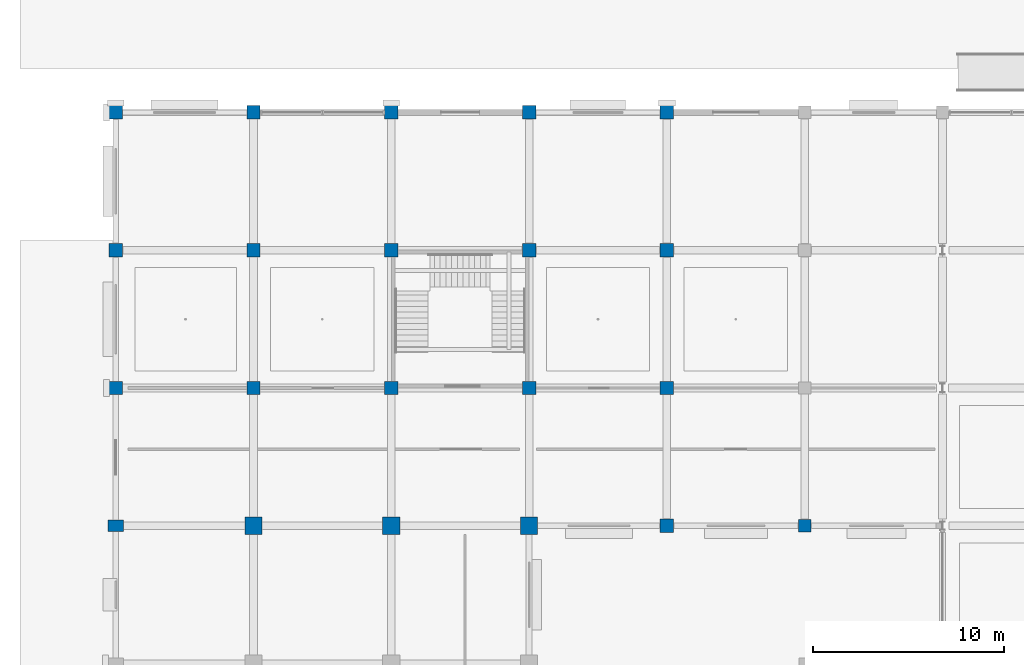
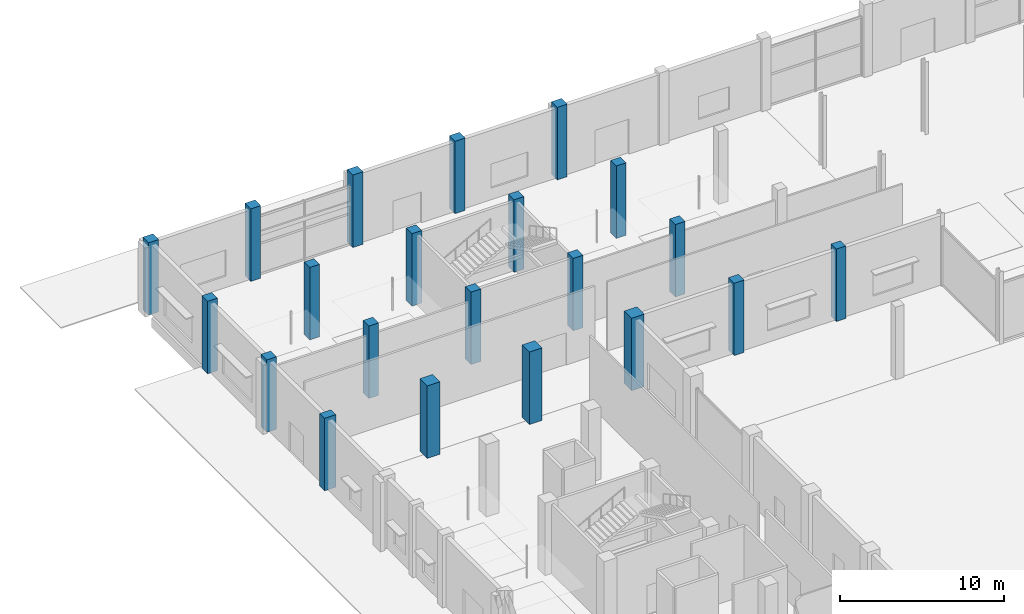
# One storey, part 5 of 90: 21 columns.
"""IFC4 building model written with IfcOpenShell, lengths in metres."""

import ifcopenshell
import ifcopenshell.guid

model = None  # the IFC model being written
_history = None  # IfcOwnerHistory: only IFC2X3 demands one
_inside = {}  # id of a spatial element -> (the spatial element, [elements in it])
_under = {}  # id of a project, library or spatial element -> (it, [spatial elements below it])
_declared = {}  # id of a project -> (the project, [libraries it declares])
_typed = {}  # id of a type object -> (the type object, [elements of that type])
_made_of = {}  # id of a material, layer set ... -> (it, [elements and type objects made of it])


def new_model(schema):
    """Start an empty IFC model of exactly this schema.

    Asked for "IFC4X3", IfcOpenShell would pick the latest addendum, in which some entities
    have other attributes; the version numbers below select the first issue.
    IFC2X3 requires an IfcOwnerHistory on every rooted entity: one is made here for all.
    """
    global model, _history
    if schema == "IFC4X3":
        model = ifcopenshell.file(schema_version=(4, 3, 0, 0))
    else:
        model = ifcopenshell.file(schema=schema)
    _inside.clear()
    _under.clear()
    _declared.clear()
    _typed.clear()
    _made_of.clear()
    _history = None
    if model.schema == "IFC2X3":
        org = make("IfcOrganization", Name="unknown")
        user = make(
            "IfcPersonAndOrganization",
            ThePerson=make("IfcPerson", FamilyName="unknown"),
            TheOrganization=org,
        )
        app = make(
            "IfcApplication",
            ApplicationDeveloper=org,
            Version="unknown",
            ApplicationFullName="unknown",
            ApplicationIdentifier="unknown",
        )
        _history = make(
            "IfcOwnerHistory",
            OwningUser=user,
            OwningApplication=app,
            ChangeAction="ADDED",
            CreationDate=0,
        )
    return model


def make(cls, **values):
    """One entity of the class cls with the attributes given. An attribute that is None is left unset."""
    return model.create_entity(
        cls, **{name: value for name, value in values.items() if value is not None}
    )


def rooted(cls, **values):
    """An entity with a GlobalId (a new one), such as an element, a storey or a relation."""
    return make(cls, GlobalId=ifcopenshell.guid.new(), OwnerHistory=_history, **values)


def si_unit(unit_type, name, prefix=None):
    """IfcSIUnit, for example si_unit("LENGTHUNIT", "METRE", prefix="MILLI")."""
    return make("IfcSIUnit", UnitType=unit_type, Prefix=prefix, Name=name)


def assignment(units):
    """IfcUnitAssignment: the units of a project."""
    return None if units is None else make("IfcUnitAssignment", Units=units)


def point(xyz):
    """IfcCartesianPoint."""
    return None if xyz is None else make("IfcCartesianPoint", Coordinates=xyz)


def direction(xyz):
    """IfcDirection."""
    return None if xyz is None else make("IfcDirection", DirectionRatios=xyz)


def frame(location, z_axis=None, x_axis=None):
    """IfcAxis2Placement3D, a coordinate frame: its origin and axes. An axis left out is left unset."""
    return make(
        "IfcAxis2Placement3D",
        Location=point(location),
        Axis=direction(z_axis),
        RefDirection=direction(x_axis),
    )


def frame_2d(location, x_axis=None):
    """IfcAxis2Placement2D, a coordinate frame in the plane: its origin and x axis."""
    return make(
        "IfcAxis2Placement2D", Location=point(location), RefDirection=direction(x_axis)
    )


def origin():
    """The frame at (0, 0, 0) with its axes left unset."""
    return frame((0.0, 0.0, 0.0))


def origin_2d():
    """The frame at (0, 0) in the plane with its x axis left unset."""
    return frame_2d((0.0, 0.0))


def place(relative_to, where):
    """IfcLocalPlacement: puts the frame where relative to a parent placement (None: the world)."""
    return make(
        "IfcLocalPlacement", PlacementRelTo=relative_to, RelativePlacement=where
    )


def context(
    kind, dimensions, precision=None, world=None, true_north=None, identifier=None
):
    """IfcGeometricRepresentationContext, for example the 3D "Model" context."""
    return make(
        "IfcGeometricRepresentationContext",
        ContextIdentifier=identifier,
        ContextType=kind,
        CoordinateSpaceDimension=dimensions,
        Precision=precision,
        WorldCoordinateSystem=world,
        TrueNorth=true_north,
    )


def subcontext(parent, identifier, kind, view, scale=None):
    """IfcGeometricRepresentationSubContext, for example "Body" below "Model"."""
    return make(
        "IfcGeometricRepresentationSubContext",
        ContextIdentifier=identifier,
        ContextType=kind,
        ParentContext=parent,
        TargetScale=scale,
        TargetView=view,
    )


def project(units=None, contexts=None):
    """IfcProject with its units and contexts."""
    return rooted(
        "IfcProject",
        Name="project",
        RepresentationContexts=contexts,
        UnitsInContext=assignment(units),
    )


def spatial(cls, under=None, at=None, **own):
    """A site, building, storey or space (cls), placed at a placement, below another one or the project."""
    s = rooted(cls, ObjectPlacement=at, **own)
    if under is not None:
        _under.setdefault(under.id(), (under, []))[1].append(s)
    return s


def profile(cls, at=None, kind="AREA", **sizes):
    """A parametric profile (cls). Its sizes go by their IFC names, for example OverallWidth=200.0."""
    return make(cls, ProfileType=kind, Position=at, **sizes)


def rectangle(**sizes):
    """IfcRectangleProfileDef."""
    return profile("IfcRectangleProfileDef", **sizes)


def extrude(swept, where, along, depth):
    """IfcExtrudedAreaSolid: the profile swept, set in the frame where, extruded along a direction by depth."""
    return make(
        "IfcExtrudedAreaSolid",
        SweptArea=swept,
        Position=where,
        ExtrudedDirection=direction(along),
        Depth=depth,
    )


def shape(context_of_items, identifier, shape_type, items):
    """IfcShapeRepresentation: the items that make up one representation, for example the "Body"."""
    return make(
        "IfcShapeRepresentation",
        ContextOfItems=context_of_items,
        RepresentationIdentifier=identifier,
        RepresentationType=shape_type,
        Items=items,
    )


def material(Name=None, Category=None):
    """IfcMaterial."""
    return make("IfcMaterial", Name=Name, Category=Category)


def material_profile(
    of_material, cross_section, Name=None, Category=None, Priority=None
):
    """IfcMaterialProfile: a cross section and its material."""
    return make(
        "IfcMaterialProfile",
        Name=Name,
        Material=of_material,
        Profile=cross_section,
        Priority=Priority,
        Category=Category,
    )


def profile_set(profiles, Name=None, composite=None):
    """IfcMaterialProfileSet."""
    return make(
        "IfcMaterialProfileSet",
        Name=Name,
        MaterialProfiles=profiles,
        CompositeProfile=composite,
    )


def made_of(thing, what):
    """Note that an element or type object is made of a material, layer set ...; save() writes the relation."""
    if what is not None:
        _made_of.setdefault(what.id(), (what, []))[1].append(thing)
    return thing


def type_object(cls, material=None, **own):
    """A type object (cls), such as IfcWallType, which elements share."""
    return made_of(rooted(cls, **own), material)


def element(
    cls,
    number,
    at=None,
    inside=None,
    cuts=None,
    type_object=None,
    material=None,
    context=None,
    identifier="Body",
    shape_type=None,
    held_by="IfcProductDefinitionShape",
    body=None,
    shapes=None,
    **own,
):
    """One element of the class cls, such as IfcWall. Its Tag is "e" and its number.

    at: its placement. inside: the storey or other place that contains it. cuts: it is an
    opening in that element (IfcRelVoidsElement). A single representation is given by context,
    identifier, shape_type and body (its items); several are given by shapes. held_by: the class
    of the entity that holds the representations. save() writes the other relations.
    """
    e = rooted(cls, Tag="e%d" % number, ObjectPlacement=at, **own)
    if body is not None:
        shapes = [shape(context, identifier, shape_type, body)]
    if shapes is not None:
        e.Representation = make(held_by, Representations=shapes)
    if inside is not None:
        _inside.setdefault(inside.id(), (inside, []))[1].append(e)
    if cuts is not None:
        rooted(
            "IfcRelVoidsElement", RelatingBuildingElement=cuts, RelatedOpeningElement=e
        )
    if type_object is not None:
        _typed.setdefault(type_object.id(), (type_object, []))[1].append(e)
    return made_of(e, material)


def aggregate(whole, parts):
    """IfcRelAggregates: a whole, such as a stair, and the parts it consists of."""
    return rooted("IfcRelAggregates", RelatingObject=whole, RelatedObjects=parts)


def save(model, path):
    """Write the relations noted so far, then the file.

    IfcRelAggregates (storeys below a building ...), IfcRelContainedInSpatialStructure (elements
    in a storey), IfcRelDefinesByType, IfcRelAssociatesMaterial and IfcRelDeclares: one each for
    every whole, place, type object, material and project.
    """
    for whole, parts in _under.values():
        aggregate(whole, parts)
    for where, things in _inside.values():
        rooted(
            "IfcRelContainedInSpatialStructure",
            RelatedElements=things,
            RelatingStructure=where,
        )
    for kind, things in _typed.values():
        rooted("IfcRelDefinesByType", RelatedObjects=things, RelatingType=kind)
    for what, things in _made_of.values():
        rooted("IfcRelAssociatesMaterial", RelatedObjects=things, RelatingMaterial=what)
    for by, libraries in _declared.values():
        rooted("IfcRelDeclares", RelatingContext=by, RelatedDefinitions=libraries)
    model.write(path)


model = new_model("IFC4")

# Units and contexts
model_context = context("Model", 3, precision=1e-05, world=origin(), true_north=direction((0.0, 1.0)))
body_context = subcontext(model_context, "Body", "Model", "MODEL_VIEW")
ifc_project = project(units=[si_unit("LENGTHUNIT", "METRE"), si_unit("AREAUNIT", "SQUARE_METRE"), si_unit("VOLUMEUNIT", "CUBIC_METRE"), si_unit("PLANEANGLEUNIT", "RADIAN"), si_unit("MASSUNIT", "GRAM", prefix="KILO")], contexts=[model_context])

# Site, building, storey
site_placement = place(None, origin())
site = spatial("IfcSite", under=ifc_project, at=site_placement, CompositionType="ELEMENT")
building_placement = place(site_placement, origin())
building = spatial("IfcBuilding", under=site, at=building_placement, Name="Kangsadwip Square Police Headquarters", CompositionType="ELEMENT")
storey_placement = place(building_placement, origin())
storey = spatial("IfcBuildingStorey", under=building, at=storey_placement, Name="L00", CompositionType="ELEMENT", Elevation=0.0)

# Columns
ifc_material_1 = material(Name="Concrete M40 (40 MPa)", Category="concrete")
ifc_material_profile_1 = material_profile(ifc_material_1, rectangle(XDim=0.64990234375, YDim=0.64990234375, at=origin_2d()), Name="RC COL 650X650")
ifc_profile_set_1 = profile_set([ifc_material_profile_1], Name="Concrete M40 (40 MPa)")
column_type_1 = type_object("IfcColumnType", Name="RcCol650x650", PredefinedType="COLUMN", material=ifc_profile_set_1)
column_1_placement = place(storey_placement, frame((36.0, 93.60009765625, 0.0), z_axis=(0.0, 0.0, 1.0), x_axis=(1.0, 0.0, 0.0)))
element("IfcColumn", 1, at=column_1_placement, inside=storey, type_object=column_type_1, Name="Column COL-L00-05-13", PredefinedType="COLUMN", context=body_context, shape_type="SweptSolid", body=[
    extrude(rectangle(XDim=0.64990234375, YDim=0.64990234375, at=origin_2d()), origin(), (0.0, 0.0, 1.0), 5.39990234375),
])
ifc_material_2 = material(Name="Concrete M40 (40 MPa)", Category="concrete")
ifc_material_profile_2 = material_profile(ifc_material_2, rectangle(XDim=0.699951171875, YDim=0.699951171875, at=origin_2d()), Name="RC COL 700X700")
ifc_profile_set_2 = profile_set([ifc_material_profile_2], Name="Concrete M40 (40 MPa)")
column_type_2 = type_object("IfcColumnType", Name="RcCol700x700", PredefinedType="COLUMN", material=ifc_profile_set_2)
for number, where, z_axis, x_axis, name in (
    (2, (0.0, 100.800048828125, 0.0), (0.0, 0.0, 1.0), (1.0, 0.0, 0.0), "Column COL-L00-00-14"),
    (3, (0.0, 108.0, 0.0), (0.0, 0.0, 1.0), (1.0, 0.0, 0.0), "Column COL-L00-00-15"),
    (4, (0.0, 115.199951171875, 0.0), (0.0, 0.0, 1.0), (1.0, 0.0, 0.0), "Column COL-L00-00-16"),
    (5, (7.199951171875, 100.800048828125, 0.0), (0.0, 0.0, 1.0), (1.0, 0.0, 0.0), "Column COL-L00-01-14"),
    (6, (7.199951171875, 108.0, 0.0), (0.0, 0.0, 1.0), (1.0, 0.0, 0.0), "Column COL-L00-01-15"),
    (7, (7.199951171875, 115.199951171875, 0.0), (0.0, 0.0, 1.0), (1.0, 0.0, 0.0), "Column COL-L00-01-16"),
    (8, (14.39990234375, 100.800048828125, 0.0), (0.0, 0.0, 1.0), (1.0, 0.0, 0.0), "Column COL-L00-02-14"),
    (9, (14.39990234375, 108.0, 0.0), (0.0, 0.0, 1.0), (1.0, 0.0, 0.0), "Column COL-L00-02-15"),
    (10, (14.39990234375, 115.199951171875, 0.0), (0.0, 0.0, 1.0), (1.0, 0.0, 0.0), "Column COL-L00-02-16"),
    (11, (21.60009765625, 100.800048828125, 0.0), (0.0, 0.0, 1.0), (1.0, 0.0, 0.0), "Column COL-L00-03-14"),
    (12, (21.60009765625, 108.0, 0.0), (0.0, 0.0, 1.0), (1.0, 0.0, 0.0), "Column COL-L00-03-15"),
    (13, (21.60009765625, 115.199951171875, 0.0), (0.0, 0.0, 1.0), (1.0, 0.0, 0.0), "Column COL-L00-03-16"),
    (14, (28.800048828125, 93.60009765625, 0.0), (0.0, 0.0, 1.0), (1.0, 0.0, 0.0), "Column COL-L00-04-13"),
    (15, (28.800048828125, 100.800048828125, 0.0), (0.0, 0.0, 1.0), (1.0, 0.0, 0.0), "Column COL-L00-04-14"),
    (16, (28.800048828125, 108.0, 0.0), (0.0, 0.0, 1.0), (1.0, 0.0, 0.0), "Column COL-L00-04-15"),
    (17, (28.800048828125, 115.199951171875, 0.0), (0.0, 0.0, 1.0), (1.0, 0.0, 0.0), "Column COL-L00-04-16"),
):
    element("IfcColumn", number, at=place(storey_placement, frame(where, z_axis=z_axis, x_axis=x_axis)), inside=storey, type_object=column_type_2, Name=name, PredefinedType="COLUMN", context=body_context, shape_type="SweptSolid", body=[
        extrude(rectangle(XDim=0.699951171875, YDim=0.699951171875, at=origin_2d()), origin(), (0.0, 0.0, 1.0), 5.39990234375),
    ])
ifc_material_3 = material(Name="Concrete M40 (40 MPa)", Category="concrete")
ifc_material_profile_3 = material_profile(ifc_material_3, rectangle(XDim=0.60009765625, YDim=0.800048828125, at=origin_2d()), Name="RC COL 800X600")
ifc_profile_set_3 = profile_set([ifc_material_profile_3], Name="Concrete M40 (40 MPa)")
column_type_3 = type_object("IfcColumnType", Name="RcCol800x600", PredefinedType="COLUMN", material=ifc_profile_set_3)
column_2_placement = place(storey_placement, frame((0.0, 93.60009765625, 0.0), z_axis=(0.0, 0.0, 1.0), x_axis=(0.0, 1.0, 0.0)))
element("IfcColumn", 18, at=column_2_placement, inside=storey, type_object=column_type_3, Name="Column COL-L00-00-13", PredefinedType="COLUMN", context=body_context, shape_type="SweptSolid", body=[
    extrude(rectangle(XDim=0.60009765625, YDim=0.800048828125, at=origin_2d()), origin(), (0.0, 0.0, 1.0), 5.39990234375),
])
ifc_material_4 = material(Name="Concrete M40 (40 MPa)", Category="concrete")
ifc_material_profile_4 = material_profile(ifc_material_4, rectangle(XDim=0.89990234375, YDim=0.89990234375, at=origin_2d()), Name="RC COL 900X900")
ifc_profile_set_4 = profile_set([ifc_material_profile_4], Name="Concrete M40 (40 MPa)")
column_type_4 = type_object("IfcColumnType", Name="RcCol900x900", PredefinedType="COLUMN", material=ifc_profile_set_4)
for number, where, z_axis, x_axis, name in (
    (19, (7.199951171875, 93.60009765625, 0.0), (0.0, 0.0, 1.0), (1.0, 0.0, 0.0), "Column COL-L00-01-13"),
    (20, (14.39990234375, 93.60009765625, 0.0), (0.0, 0.0, 1.0), (1.0, 0.0, 0.0), "Column COL-L00-02-13"),
    (21, (21.60009765625, 93.60009765625, 0.0), (0.0, 0.0, 1.0), (1.0, 0.0, 0.0), "Column COL-L00-03-13"),
):
    element("IfcColumn", number, at=place(storey_placement, frame(where, z_axis=z_axis, x_axis=x_axis)), inside=storey, type_object=column_type_4, Name=name, PredefinedType="COLUMN", context=body_context, shape_type="SweptSolid", body=[
        extrude(rectangle(XDim=0.89990234375, YDim=0.89990234375, at=origin_2d()), origin(), (0.0, 0.0, 1.0), 5.39990234375),
    ])

save(model, "model.ifc")
